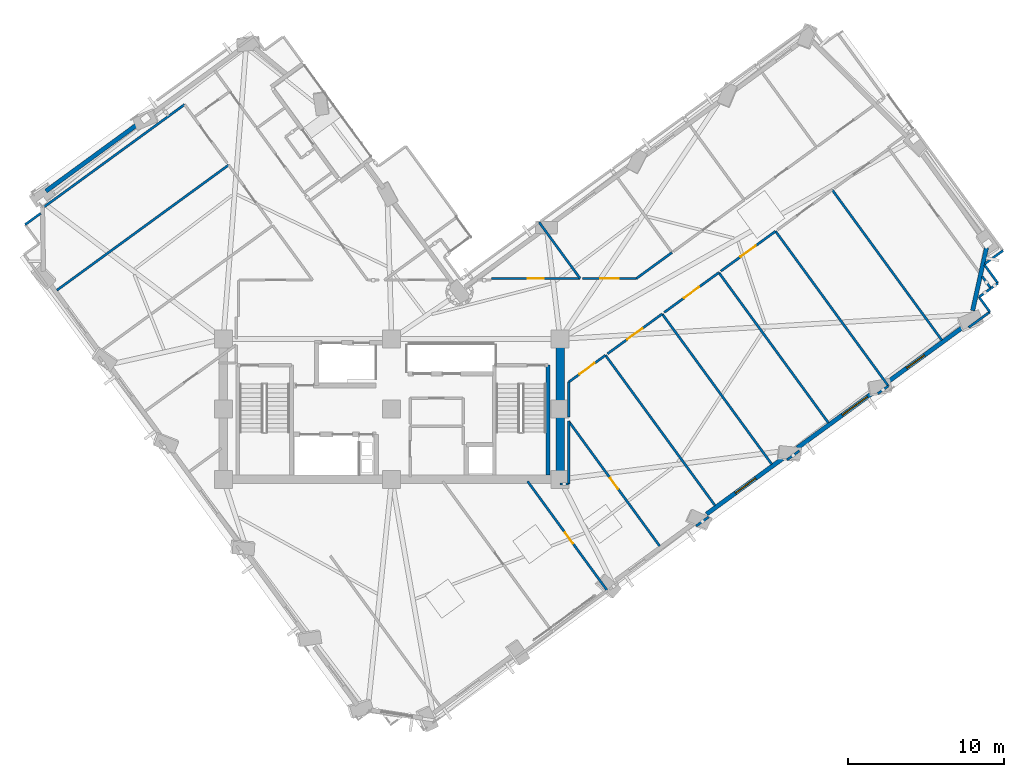
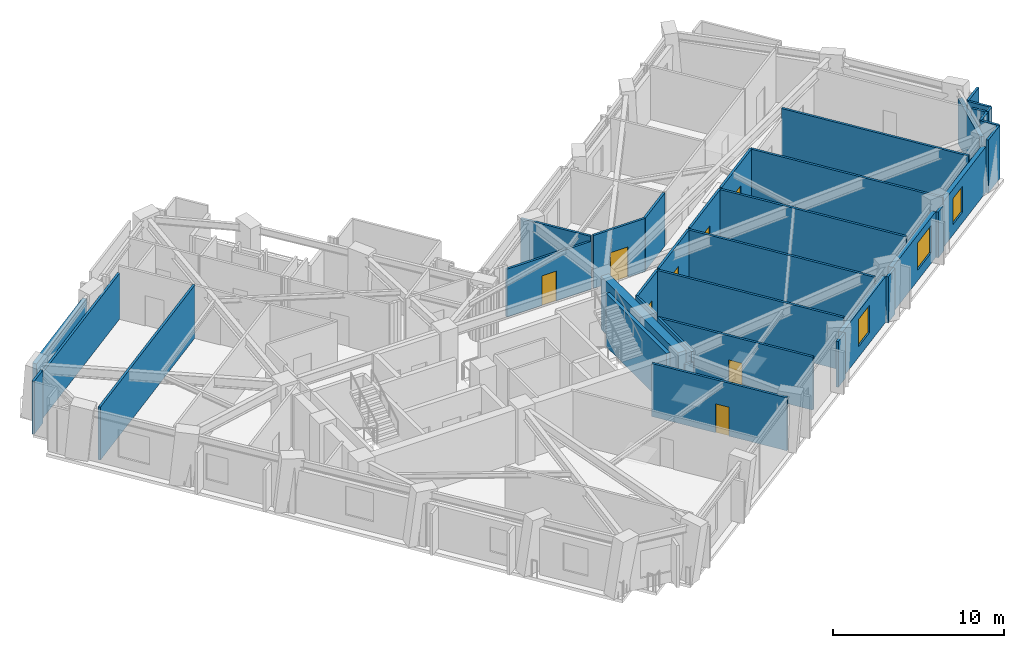
# One storey, part 7 of 14: 38 walls, 8 doors, 3 windows, 11 openings.
"""IFC4 building model written with IfcOpenShell, lengths in metres."""

from ifc_helpers import new_model, si_unit, direction, frame, frame_2d, origin, place, context, subcontext, project, spatial, rectangle, extrude, material, layer, layer_set, type_object, element, fill, save


model = new_model("IFC4")

# Units and contexts
model_context = context("Model", 3, precision=1e-05, world=origin(), true_north=direction((0.0, 1.0)))
body_context = subcontext(model_context, "Body", "Model", "MODEL_VIEW")
ifc_project = project(units=[si_unit("LENGTHUNIT", "METRE"), si_unit("AREAUNIT", "SQUARE_METRE"), si_unit("VOLUMEUNIT", "CUBIC_METRE"), si_unit("PLANEANGLEUNIT", "RADIAN"), si_unit("MASSUNIT", "GRAM", prefix="KILO")], contexts=[model_context])

# Site, building, storey
site_placement = place(None, origin())
site = spatial("IfcSite", under=ifc_project, at=site_placement, CompositionType="ELEMENT")
building_placement = place(site_placement, origin())
building = spatial("IfcBuilding", under=site, at=building_placement, Name="Gaonmaruhae Medical Tower", CompositionType="ELEMENT")
storey_placement = place(building_placement, frame((0.0, 0.0, 177.800048828125)))
storey = spatial("IfcBuildingStorey", under=building, at=storey_placement, Name="L42", CompositionType="ELEMENT", Elevation=177.800048828125)

# Wall
ifc_material_1 = material(Name="Concrete C50/60", Category="concrete")
ifc_layer_1 = layer(ifc_material_1, 0.550048828125)
ifc_layer_set_1 = layer_set([ifc_layer_1], Name="Concrete C50/60")
wall_type_1 = type_object("IfcWallType", Name="CW-550 Mid-High Core Shear Wall", PredefinedType="SHEAR", material=ifc_layer_set_1)
wall_1_placement = place(storey_placement, frame((35.60009765625, 7.800048828125, 0.0), z_axis=(0.0, 0.0, 1.0), x_axis=(0.0, 1.0, 0.0)))
element("IfcWall", 1, at=wall_1_placement, inside=storey, type_object=wall_type_1, Name="L42 Core Shear Wall CSW-E1", PredefinedType="SHEAR", context=body_context, shape_type="SweptSolid", body=[
    extrude(rectangle(XDim=9.0, YDim=0.550048828125, at=frame_2d((4.5, 0.0))), origin(), (0.0, 0.0, 1.0), 3.780029296875),
])

# Wall, opening, window
ifc_material_2 = material(Name="Precast concrete C45/55", Category="concrete")
ifc_layer_2 = layer(ifc_material_2, 0.280029296875)
ifc_layer_set_2 = layer_set([ifc_layer_2], Name="Precast concrete C45/55")
wall_type_2 = type_object("IfcWallType", Name="EW-280 Upper Precast Masonry-Frame Facade Wall", PredefinedType="SOLIDWALL", material=ifc_layer_set_2)
wall_2_placement = place(storey_placement, frame((50.013916015625, 9.231689453125, 0.0), z_axis=(0.0, 0.0, 1.0), x_axis=(-0.808000900578, -0.589181249417, 0.0)))
wall_2 = element("IfcWall", 2, at=wall_2_placement, inside=storey, type_object=wall_type_2, Name="L42 Precast Masonry-Frame Wall S04-S05", PredefinedType="SOLIDWALL", context=body_context, shape_type="SweptSolid", body=[
    extrude(rectangle(XDim=6.208984375, YDim=0.280029296875, at=frame_2d((3.1044921875, 0.0))), origin(), (0.0, 0.0, 1.0), 3.264892578125),
])
opening_1_placement = place(wall_2_placement, frame((2.3193359375, 0.0, 0.75)))
opening_1 = element("IfcOpeningElement", 3, at=opening_1_placement, cuts=wall_2, Name="Opening WN-01", PredefinedType="OPENING", context=body_context, shape_type="SweptSolid", body=[
    extrude(rectangle(XDim=1.60009765625, YDim=1.949951171875, at=frame_2d((0.800048828125, 0.97509765625))), frame((0.0, 0.14990234375, 0.0), z_axis=(0.0, -1.0, 0.0), x_axis=(1.0, 0.0, 0.0)), (0.0, 0.0, 1.0), 0.300048828125),
])
ifc_material_3 = material(Name="Anodised aluminium and Low-E double glazing", Category="aluminium")
window_type_1 = type_object("IfcWindowType", Name="WN-01 Ward Punched Acoustic Window 1600x1950", PartitioningType="SINGLE_PANEL", PredefinedType="WINDOW", material=ifc_material_3)
window_1_placement = place(opening_1_placement, origin())
window_1 = element("IfcWindow", 4, at=window_1_placement, inside=storey, type_object=window_type_1, Name="L42 Modular Facade Window S04", OverallHeight=1.949951171875, OverallWidth=1.60009765625, PartitioningType="SINGLE_PANEL", PredefinedType="WINDOW", context=body_context, shape_type="SweptSolid", body=[
    extrude(rectangle(XDim=1.60009765625, YDim=1.949951171875, at=frame_2d((0.800048828125, 0.97509765625))), frame((0.0, 0.030029296875, 0.0), z_axis=(0.0, -1.0, 0.0), x_axis=(1.0, 0.0, 0.0)), (0.0, 0.0, 1.0), 0.06005859375),
])
fill(opening_1, window_1)

wall_3_placement = place(storey_placement, frame((55.837646484375, 13.478515625, 0.0), z_axis=(0.0, 0.0, 1.0), x_axis=(-0.807993512138, -0.589191381762, 0.0)))
wall_3 = element("IfcWall", 5, at=wall_3_placement, inside=storey, type_object=wall_type_2, Name="L42 Precast Masonry-Frame Wall S05-S06", PredefinedType="SOLIDWALL", context=body_context, shape_type="SweptSolid", body=[
    extrude(rectangle(XDim=6.218505859375, YDim=0.280029296875, at=frame_2d((3.109375, 0.0))), origin(), (0.0, 0.0, 1.0), 3.264892578125),
])
opening_2_placement = place(wall_3_placement, frame((0.64599609375, 0.0, 0.75)))
opening_2 = element("IfcOpeningElement", 6, at=opening_2_placement, cuts=wall_3, Name="Opening WN-02", PredefinedType="OPENING", context=body_context, shape_type="SweptSolid", body=[
    extrude(rectangle(XDim=2.0, YDim=1.949951171875, at=frame_2d((1.0, 0.97509765625))), frame((0.0, 0.14990234375, 0.0), z_axis=(0.0, -1.0, 0.0), x_axis=(1.0, 0.0, 0.0)), (0.0, 0.0, 1.0), 0.300048828125),
])
window_type_2 = type_object("IfcWindowType", Name="WN-02 Double-Bed Ward Punched Window 2000x1950", PartitioningType="SINGLE_PANEL", PredefinedType="WINDOW", material=ifc_material_3)
window_2_placement = place(opening_2_placement, origin())
window_2 = element("IfcWindow", 7, at=window_2_placement, inside=storey, type_object=window_type_2, Name="L42 Modular Facade Window S05", OverallHeight=1.949951171875, OverallWidth=2.0, PartitioningType="SINGLE_PANEL", PredefinedType="WINDOW", context=body_context, shape_type="SweptSolid", body=[
    extrude(rectangle(XDim=2.0, YDim=1.949951171875, at=frame_2d((1.0, 0.97509765625))), frame((0.0, 0.030029296875, 0.0), z_axis=(0.0, -1.0, 0.0), x_axis=(1.0, 0.0, 0.0)), (0.0, 0.0, 1.0), 0.06005859375),
])
fill(opening_2, window_2)

wall_4_placement = place(storey_placement, frame((61.66748046875, 17.729736328125, 0.0), z_axis=(0.0, 0.0, 1.0), x_axis=(-0.807986195616, -0.589201415217, 0.0)))
wall_4 = element("IfcWall", 8, at=wall_4_placement, inside=storey, type_object=wall_type_2, Name="L42 Precast Masonry-Frame Wall S06-S07", PredefinedType="SOLIDWALL", context=body_context, shape_type="SweptSolid", body=[
    extrude(rectangle(XDim=6.242431640625, YDim=0.280029296875, at=frame_2d((3.12109375, 0.0))), origin(), (0.0, 0.0, 1.0), 3.264892578125),
])
opening_3_placement = place(wall_4_placement, frame((3.342529296875, 0.0, 0.75)))
opening_3 = element("IfcOpeningElement", 9, at=opening_3_placement, cuts=wall_4, Name="Opening WN-03", PredefinedType="OPENING", context=body_context, shape_type="SweptSolid", body=[
    extrude(rectangle(XDim=1.39990234375, YDim=1.85009765625, at=frame_2d((0.699951171875, 0.925048828125))), frame((0.0, 0.14990234375, 0.0), z_axis=(0.0, -1.0, 0.0), x_axis=(1.0, 0.0, 0.0)), (0.0, 0.0, 1.0), 0.300048828125),
])
window_type_3 = type_object("IfcWindowType", Name="WN-03 Isolation Ward Punched Window 1400x1850", PartitioningType="SINGLE_PANEL", PredefinedType="WINDOW", material=ifc_material_3)
window_3_placement = place(opening_3_placement, origin())
window_3 = element("IfcWindow", 10, at=window_3_placement, inside=storey, type_object=window_type_3, Name="L42 Modular Facade Window S06", OverallHeight=1.85009765625, OverallWidth=1.39990234375, PartitioningType="SINGLE_PANEL", PredefinedType="WINDOW", context=body_context, shape_type="SweptSolid", body=[
    extrude(rectangle(XDim=1.39990234375, YDim=1.85009765625, at=frame_2d((0.699951171875, 0.925048828125))), frame((0.0, 0.030029296875, 0.0), z_axis=(0.0, -1.0, 0.0), x_axis=(1.0, 0.0, 0.0)), (0.0, 0.0, 1.0), 0.06005859375),
])
fill(opening_3, window_3)

# Walls
wall_5_placement = place(storey_placement, frame((62.95263671875, 22.6669921875, 0.0), z_axis=(0.0, 0.0, 1.0), x_axis=(-0.215626878502, -0.976475831379, 0.0)))
element("IfcWall", 11, at=wall_5_placement, inside=storey, type_object=wall_type_2, Name="L42 Precast Masonry-Frame Wall S07-E01", PredefinedType="SOLIDWALL", context=body_context, shape_type="SweptSolid", body=[
    extrude(rectangle(XDim=4.14501953125, YDim=0.280029296875, at=frame_2d((2.072509765625, 0.0))), origin(), (0.0, 0.0, 1.0), 3.264892578125),
])
wall_6_placement = place(storey_placement, frame((2.621337890625, 26.281982421875, 0.0), z_axis=(0.0, 0.0, 1.0), x_axis=(0.807987546016, 0.589199563377, 0.0)))
element("IfcWall", 12, at=wall_6_placement, inside=storey, type_object=wall_type_2, Name="L42 Precast Masonry-Frame Wall N02-N03", PredefinedType="SOLIDWALL", context=body_context, shape_type="SweptSolid", body=[
    extrude(rectangle(XDim=7.27001953125, YDim=0.280029296875, at=frame_2d((3.635009765625, 0.0))), origin(), (0.0, 0.0, 1.0), 3.264892578125),
])

# Wall, opening, door
ifc_material_4 = material(Name="Gypsum board partition", Category="gypsum")
ifc_layer_3 = layer(ifc_material_4, 0.14990234375)
ifc_layer_set_3 = layer_set([ifc_layer_3], Name="Gypsum board partition")
wall_type_3 = type_object("IfcWallType", Name="PW-150 Rated Clinical Corridor Partition", PredefinedType="PARTITIONING", material=ifc_layer_set_3)
wall_7_placement = place(storey_placement, frame((33.51708984375, 7.6708984375, 0.0), z_axis=(0.0, 0.0, 1.0), x_axis=(0.589139101628, -0.808031632384, 0.0)))
wall_7 = element("IfcWall", 13, at=wall_7_placement, inside=storey, type_object=wall_type_3, Name="L42 Interior Partition L42-SUP04-14", PredefinedType="PARTITIONING", context=body_context, shape_type="SweptSolid", body=[
    extrude(rectangle(XDim=8.639404296875, YDim=0.14990234375, at=frame_2d((4.31982421875, 0.0))), origin(), (0.0, 0.0, 1.0), 3.780029296875),
])
opening_4_placement = place(wall_7_placement, frame((4.075439453125, 0.0, 0.0)))
opening_4 = element("IfcOpeningElement", 14, at=opening_4_placement, cuts=wall_7, Name="Opening AD-01", PredefinedType="OPENING", context=body_context, shape_type="SweptSolid", body=[
    extrude(rectangle(XDim=0.860107421875, YDim=2.06005859375, at=frame_2d((0.43017578125, 1.030029296875))), frame((0.0, 0.0849609375, 0.0), z_axis=(0.0, -1.0, 0.0), x_axis=(1.0, 0.0, 0.0)), (0.0, 0.0, 1.0), 0.169921875),
])
ifc_material_5 = material(Name="Powder-coated steel access door", Category="steel")
door_type_1 = type_object("IfcDoorType", Name="AD-01 Riser & Closet Access Fire Door 860x2060", OperationType="NOTDEFINED", PredefinedType="DOOR", material=ifc_material_5)
door_1_placement = place(opening_4_placement, origin())
door_1 = element("IfcDoor", 15, at=door_1_placement, inside=storey, type_object=door_type_1, Name="L42 Clinical Biomedical Charting Office Sliding Door", OperationType="SLIDING_TO_LEFT", OverallHeight=2.06005859375, OverallWidth=0.860107421875, PredefinedType="DOOR", context=body_context, shape_type="SweptSolid", body=[
    extrude(rectangle(XDim=0.860107421875, YDim=2.06005859375, at=frame_2d((0.43017578125, 1.030029296875))), frame((0.0, 0.02490234375, 0.0), z_axis=(0.0, -1.0, 0.0), x_axis=(1.0, 0.0, 0.0)), (0.0, 0.0, 1.0), 0.050048828125),
])
fill(opening_4, door_1)

wall_8_placement = place(storey_placement, frame((36.14990234375, 11.527099609375, 0.0), z_axis=(0.0, 0.0, 1.0), x_axis=(0.589195281256, -0.8079906686, 0.0)))
wall_8 = element("IfcWall", 16, at=wall_8_placement, inside=storey, type_object=wall_type_3, Name="L42 Interior Partition L42-SUP05-15", PredefinedType="PARTITIONING", context=body_context, shape_type="SweptSolid", body=[
    extrude(rectangle(XDim=9.90869140625, YDim=0.14990234375, at=frame_2d((4.954345703125, 0.0))), origin(), (0.0, 0.0, 1.0), 3.780029296875),
])
opening_5_placement = place(wall_8_placement, frame((4.524169921875, 0.0, 0.0)))
opening_5 = element("IfcOpeningElement", 17, at=opening_5_placement, cuts=wall_8, Name="Opening AD-01", PredefinedType="OPENING", context=body_context, shape_type="SweptSolid", body=[
    extrude(rectangle(XDim=0.860107421875, YDim=2.06005859375, at=frame_2d((0.43017578125, 1.030029296875))), frame((0.0, 0.0849609375, 0.0), z_axis=(0.0, -1.0, 0.0), x_axis=(1.0, 0.0, 0.0)), (0.0, 0.0, 1.0), 0.169921875),
])
door_2_placement = place(opening_5_placement, origin())
door_2 = element("IfcDoor", 18, at=door_2_placement, inside=storey, type_object=door_type_1, Name="L42 Clinical Biomedical Charting Office Sliding Door", OperationType="SLIDING_TO_LEFT", OverallHeight=2.06005859375, OverallWidth=0.860107421875, PredefinedType="DOOR", context=body_context, shape_type="SweptSolid", body=[
    extrude(rectangle(XDim=0.860107421875, YDim=2.06005859375, at=frame_2d((0.43017578125, 1.030029296875))), frame((0.0, 0.02490234375, 0.0), z_axis=(0.0, -1.0, 0.0), x_axis=(1.0, 0.0, 0.0)), (0.0, 0.0, 1.0), 0.050048828125),
])
fill(opening_5, door_2)

# Walls
wall_9_placement = place(storey_placement, frame((35.60009765625, 7.5, 0.0), z_axis=(0.0, 0.0, 1.0), x_axis=(1.0, 0.0, 0.0)))
element("IfcWall", 19, at=wall_9_placement, inside=storey, type_object=wall_type_3, Name="L42 Interior Partition L42-SUP05-17", PredefinedType="PARTITIONING", context=body_context, shape_type="SweptSolid", body=[
    extrude(rectangle(XDim=0.5498046875, YDim=0.14990234375, at=frame_2d((0.27490234375, 0.0))), origin(), (0.0, 0.0, 1.0), 3.06494140625),
])
wall_10_placement = place(storey_placement, frame((36.14990234375, 7.5, 0.0), z_axis=(0.0, 0.0, 1.0), x_axis=(0.0, 1.0, 0.0)))
element("IfcWall", 20, at=wall_10_placement, inside=storey, type_object=wall_type_3, Name="L42 Interior Partition L42-SUP05-18", PredefinedType="PARTITIONING", context=body_context, shape_type="SweptSolid", body=[
    extrude(rectangle(XDim=4.027099609375, YDim=0.14990234375, at=frame_2d((2.013671875, 0.0))), origin(), (0.0, 0.0, 1.0), 3.780029296875),
])
wall_11_placement = place(storey_placement, frame((38.510986328125, 15.757080078125, 0.0), z_axis=(0.0, 0.0, 1.0), x_axis=(0.589203876201, -0.807984401006, 0.0)))
element("IfcWall", 21, at=wall_11_placement, inside=storey, type_object=wall_type_3, Name="L42 Interior Partition L42-SUP06-19", PredefinedType="PARTITIONING", context=body_context, shape_type="SweptSolid", body=[
    extrude(rectangle(XDim=11.934814453125, YDim=0.14990234375, at=frame_2d((5.96728515625, 0.0))), origin(), (0.0, 0.0, 1.0), 3.780029296875),
])
wall_12_placement = place(storey_placement, frame((45.132080078125, 5.387939453125, 0.0), z_axis=(0.0, 0.0, 1.0), x_axis=(-0.808053936912, -0.589108508715, 0.0)))
element("IfcWall", 22, at=wall_12_placement, inside=storey, type_object=wall_type_3, Name="L42 Interior Partition L42-SUP06-20", PredefinedType="PARTITIONING", context=body_context, shape_type="SweptSolid", body=[
    extrude(rectangle(XDim=0.9912109375, YDim=0.14990234375, at=frame_2d((0.49560546875, 0.0))), origin(), (0.0, 0.0, 1.0), 3.264892578125),
])
wall_13_placement = place(storey_placement, frame((36.14990234375, 11.799072265625, 0.0), z_axis=(0.0, 0.0, 1.0), x_axis=(0.0, 1.0, 0.0)))
element("IfcWall", 23, at=wall_13_placement, inside=storey, type_object=wall_type_3, Name="L42 Interior Partition L42-SUP06-21", PredefinedType="PARTITIONING", context=body_context, shape_type="SweptSolid", body=[
    extrude(rectangle(XDim=2.23681640625, YDim=0.14990234375, at=frame_2d((1.118408203125, 0.0))), origin(), (0.0, 0.0, 1.0), 3.780029296875),
])

# Wall, opening, door
wall_14_placement = place(storey_placement, frame((36.14990234375, 14.035888671875, 0.0), z_axis=(0.0, 0.0, 1.0), x_axis=(0.808077964092, 0.589075550289, 0.0)))
wall_14 = element("IfcWall", 24, at=wall_14_placement, inside=storey, type_object=wall_type_3, Name="L42 Interior Partition L42-SUP06-22", PredefinedType="PARTITIONING", context=body_context, shape_type="SweptSolid", body=[
    extrude(rectangle(XDim=2.921875, YDim=0.14990234375, at=frame_2d((1.4609375, 0.0))), origin(), (0.0, 0.0, 1.0), 3.780029296875),
])
opening_6_placement = place(wall_14_placement, frame((0.86083984375, 0.0, 0.0)))
opening_6 = element("IfcOpeningElement", 25, at=opening_6_placement, cuts=wall_14, Name="Opening CD-02", PredefinedType="OPENING", context=body_context, shape_type="SweptSolid", body=[
    extrude(rectangle(XDim=1.199951171875, YDim=2.14990234375, at=frame_2d((0.60009765625, 1.074951171875))), frame((0.0, 0.0849609375, 0.0), z_axis=(0.0, -1.0, 0.0), x_axis=(1.0, 0.0, 0.0)), (0.0, 0.0, 1.0), 0.169921875),
])
ifc_material_6 = material(Name="Antimicrobial laminate timber fire door", Category="wood")
door_type_2 = type_object("IfcDoorType", Name="CD-02 Clinical Treatment & Procedure Door 1200x2150", OperationType="NOTDEFINED", PredefinedType="DOOR", material=ifc_material_6)
door_3_placement = place(opening_6_placement, origin())
door_3 = element("IfcDoor", 26, at=door_3_placement, inside=storey, type_object=door_type_2, Name="L42 Clinical Biomedical Charting Office Door", OperationType="SINGLE_SWING_RIGHT", OverallHeight=2.14990234375, OverallWidth=1.199951171875, PredefinedType="DOOR", context=body_context, shape_type="SweptSolid", body=[
    extrude(rectangle(XDim=1.199951171875, YDim=2.14990234375, at=frame_2d((0.60009765625, 1.074951171875))), frame((0.0, 0.02490234375, 0.0), z_axis=(0.0, -1.0, 0.0), x_axis=(1.0, 0.0, 0.0)), (0.0, 0.0, 1.0), 0.050048828125),
])
fill(opening_6, door_3)

wall_15_placement = place(storey_placement, frame((38.639892578125, 15.85107421875, 0.0), z_axis=(0.0, 0.0, 1.0), x_axis=(0.807940029347, 0.589264718933, 0.0)))
wall_15 = element("IfcWall", 27, at=wall_15_placement, inside=storey, type_object=wall_type_3, Name="L42 Interior Partition L42-SUP07-23", PredefinedType="PARTITIONING", context=body_context, shape_type="SweptSolid", body=[
    extrude(rectangle(XDim=4.3408203125, YDim=0.14990234375, at=frame_2d((2.17041015625, 0.0))), origin(), (0.0, 0.0, 1.0), 3.780029296875),
])
opening_7_placement = place(wall_15_placement, frame((1.5703125, 0.0, 0.0)))
opening_7 = element("IfcOpeningElement", 28, at=opening_7_placement, cuts=wall_15, Name="Opening CD-02", PredefinedType="OPENING", context=body_context, shape_type="SweptSolid", body=[
    extrude(rectangle(XDim=1.199951171875, YDim=2.14990234375, at=frame_2d((0.60009765625, 1.074951171875))), frame((0.0, 0.0849609375, 0.0), z_axis=(0.0, -1.0, 0.0), x_axis=(1.0, 0.0, 0.0)), (0.0, 0.0, 1.0), 0.169921875),
])
door_4_placement = place(opening_7_placement, origin())
door_4 = element("IfcDoor", 29, at=door_4_placement, inside=storey, type_object=door_type_2, Name="L42 Clinical Biomedical Charting Office Door", OperationType="SINGLE_SWING_LEFT", OverallHeight=2.14990234375, OverallWidth=1.199951171875, PredefinedType="DOOR", context=body_context, shape_type="SweptSolid", body=[
    extrude(rectangle(XDim=1.199951171875, YDim=2.14990234375, at=frame_2d((0.60009765625, 1.074951171875))), frame((0.0, 0.02490234375, 0.0), z_axis=(0.0, -1.0, 0.0), x_axis=(1.0, 0.0, 0.0)), (0.0, 0.0, 1.0), 0.050048828125),
])
fill(opening_7, door_4)

# Wall
wall_16_placement = place(storey_placement, frame((42.14697265625, 18.408935546875, 0.0), z_axis=(0.0, 0.0, 1.0), x_axis=(0.589164923699, -0.808012804776, 0.0)))
element("IfcWall", 30, at=wall_16_placement, inside=storey, type_object=wall_type_3, Name="L42 Interior Partition L42-SUP07-24", PredefinedType="PARTITIONING", context=body_context, shape_type="SweptSolid", body=[
    extrude(rectangle(XDim=11.935546875, YDim=0.14990234375, at=frame_2d((5.9677734375, 0.0))), origin(), (0.0, 0.0, 1.0), 3.780029296875),
])

# Wall, opening, door
wall_17_placement = place(storey_placement, frame((42.27587890625, 18.5029296875, 0.0), z_axis=(0.0, 0.0, 1.0), x_axis=(0.808020361036, 0.589154560494, 0.0)))
wall_17 = element("IfcWall", 31, at=wall_17_placement, inside=storey, type_object=wall_type_3, Name="L42 Interior Partition L42-SUP08-25", PredefinedType="PARTITIONING", context=body_context, shape_type="SweptSolid", body=[
    extrude(rectangle(XDim=4.34033203125, YDim=0.14990234375, at=frame_2d((2.170166015625, 0.0))), origin(), (0.0, 0.0, 1.0), 3.780029296875),
])
opening_8_placement = place(wall_17_placement, frame((1.570068359375, 0.0, 0.0)))
opening_8 = element("IfcOpeningElement", 32, at=opening_8_placement, cuts=wall_17, Name="Opening CD-02", PredefinedType="OPENING", context=body_context, shape_type="SweptSolid", body=[
    extrude(rectangle(XDim=1.199951171875, YDim=2.14990234375, at=frame_2d((0.60009765625, 1.074951171875))), frame((0.0, 0.0849609375, 0.0), z_axis=(0.0, -1.0, 0.0), x_axis=(1.0, 0.0, 0.0)), (0.0, 0.0, 1.0), 0.169921875),
])
door_5_placement = place(opening_8_placement, origin())
door_5 = element("IfcDoor", 33, at=door_5_placement, inside=storey, type_object=door_type_2, Name="L42 Clinical Biomedical Charting Office Door", OperationType="SINGLE_SWING_LEFT", OverallHeight=2.14990234375, OverallWidth=1.199951171875, PredefinedType="DOOR", context=body_context, shape_type="SweptSolid", body=[
    extrude(rectangle(XDim=1.199951171875, YDim=2.14990234375, at=frame_2d((0.60009765625, 1.074951171875))), frame((0.0, 0.02490234375, 0.0), z_axis=(0.0, -1.0, 0.0), x_axis=(1.0, 0.0, 0.0)), (0.0, 0.0, 1.0), 0.050048828125),
])
fill(opening_8, door_5)

# Walls
wall_18_placement = place(storey_placement, frame((45.782958984375, 21.06005859375, 0.0), z_axis=(0.0, 0.0, 1.0), x_axis=(0.589203876201, -0.807984401006, 0.0)))
element("IfcWall", 34, at=wall_18_placement, inside=storey, type_object=wall_type_3, Name="L42 Interior Partition L42-SUP08-26", PredefinedType="PARTITIONING", context=body_context, shape_type="SweptSolid", body=[
    extrude(rectangle(XDim=11.934814453125, YDim=0.14990234375, at=frame_2d((5.96728515625, 0.0))), origin(), (0.0, 0.0, 1.0), 3.780029296875),
])
wall_19_placement = place(storey_placement, frame((50.948974609375, 9.62890625, 0.0), z_axis=(0.0, 0.0, 1.0), x_axis=(-0.808181158002, -0.588933965611, 0.0)))
element("IfcWall", 35, at=wall_19_placement, inside=storey, type_object=wall_type_3, Name="L42 Interior Partition L42-SUP08-27", PredefinedType="PARTITIONING", context=body_context, shape_type="SweptSolid", body=[
    extrude(rectangle(XDim=0.989990234375, YDim=0.14990234375, at=frame_2d((0.4951171875, 0.0))), origin(), (0.0, 0.0, 1.0), 3.264892578125),
])

# Wall, opening, door
wall_20_placement = place(storey_placement, frame((45.912109375, 21.154052734375, 0.0), z_axis=(0.0, 0.0, 1.0), x_axis=(0.808027614648, 0.5891446121, 0.0)))
wall_20 = element("IfcWall", 36, at=wall_20_placement, inside=storey, type_object=wall_type_3, Name="L42 Interior Partition L42-SUP09-28", PredefinedType="PARTITIONING", context=body_context, shape_type="SweptSolid", body=[
    extrude(rectangle(XDim=4.340087890625, YDim=0.14990234375, at=frame_2d((2.169921875, 0.0))), origin(), (0.0, 0.0, 1.0), 3.780029296875),
])
opening_9_placement = place(wall_20_placement, frame((1.570068359375, 0.0, 0.0)))
opening_9 = element("IfcOpeningElement", 37, at=opening_9_placement, cuts=wall_20, Name="Opening CD-02", PredefinedType="OPENING", context=body_context, shape_type="SweptSolid", body=[
    extrude(rectangle(XDim=1.199951171875, YDim=2.14990234375, at=frame_2d((0.60009765625, 1.074951171875))), frame((0.0, 0.0849609375, 0.0), z_axis=(0.0, -1.0, 0.0), x_axis=(1.0, 0.0, 0.0)), (0.0, 0.0, 1.0), 0.169921875),
])
door_6_placement = place(opening_9_placement, origin())
door_6 = element("IfcDoor", 38, at=door_6_placement, inside=storey, type_object=door_type_2, Name="L42 Clinical Biomedical Charting Office Door", OperationType="SINGLE_SWING_LEFT", OverallHeight=2.14990234375, OverallWidth=1.199951171875, PredefinedType="DOOR", context=body_context, shape_type="SweptSolid", body=[
    extrude(rectangle(XDim=1.199951171875, YDim=2.14990234375, at=frame_2d((0.60009765625, 1.074951171875))), frame((0.0, 0.02490234375, 0.0), z_axis=(0.0, -1.0, 0.0), x_axis=(1.0, 0.0, 0.0)), (0.0, 0.0, 1.0), 0.050048828125),
])
fill(opening_9, door_6)

# Walls
wall_21_placement = place(storey_placement, frame((49.4189453125, 23.7109375, 0.0), z_axis=(0.0, 0.0, 1.0), x_axis=(0.589193791038, -0.807991755281, 0.0)))
element("IfcWall", 39, at=wall_21_placement, inside=storey, type_object=wall_type_3, Name="L42 Interior Partition L42-SUP09-29", PredefinedType="PARTITIONING", context=body_context, shape_type="SweptSolid", body=[
    extrude(rectangle(XDim=12.27978515625, YDim=0.14990234375, at=frame_2d((6.139892578125, 0.0))), origin(), (0.0, 0.0, 1.0), 3.780029296875),
])
wall_22_placement = place(storey_placement, frame((56.654052734375, 13.7890625, 0.0), z_axis=(0.0, 0.0, 1.0), x_axis=(-0.808334978562, -0.588722823096, 0.0)))
element("IfcWall", 40, at=wall_22_placement, inside=storey, type_object=wall_type_3, Name="L42 Interior Partition L42-SUP09-30", PredefinedType="PARTITIONING", context=body_context, shape_type="SweptSolid", body=[
    extrude(rectangle(XDim=0.8427734375, YDim=0.14990234375, at=frame_2d((0.42138671875, 0.0))), origin(), (0.0, 0.0, 1.0), 3.264892578125),
])
wall_23_placement = place(storey_placement, frame((53.054931640625, 26.363037109375, 0.0), z_axis=(0.0, 0.0, 1.0), x_axis=(0.589164923699, -0.808012804776, 0.0)))
element("IfcWall", 41, at=wall_23_placement, inside=storey, type_object=wall_type_3, Name="L42 Interior Partition L42-SUP10-32", PredefinedType="PARTITIONING", context=body_context, shape_type="SweptSolid", body=[
    extrude(rectangle(XDim=11.935546875, YDim=0.14990234375, at=frame_2d((5.9677734375, 0.0))), origin(), (0.0, 0.0, 1.0), 3.780029296875),
])
wall_24_placement = place(storey_placement, frame((63.1669921875, 18.5380859375, 0.0), z_axis=(0.0, 0.0, 1.0), x_axis=(-0.80813518797, -0.588997044105, 0.0)))
element("IfcWall", 42, at=wall_24_placement, inside=storey, type_object=wall_type_3, Name="L42 Interior Partition L42-SUP11-33", PredefinedType="PARTITIONING", context=body_context, shape_type="SweptSolid", body=[
    extrude(rectangle(XDim=1.687744140625, YDim=0.14990234375, at=frame_2d((0.84375, 0.0))), origin(), (0.0, 0.0, 1.0), 3.780029296875),
])
wall_25_placement = place(storey_placement, frame((62.6630859375, 20.822998046875, 0.0), z_axis=(0.0, 0.0, 1.0), x_axis=(0.589527176238, -0.80774854285, 0.0)))
element("IfcWall", 43, at=wall_25_placement, inside=storey, type_object=wall_type_3, Name="L42 Interior Partition L42-SUP11-36", PredefinedType="PARTITIONING", context=body_context, shape_type="SweptSolid", body=[
    extrude(rectangle(XDim=0.96337890625, YDim=0.14990234375, at=frame_2d((0.481689453125, 0.0))), origin(), (0.0, 0.0, 1.0), 3.780029296875),
])
wall_26_placement = place(storey_placement, frame((63.23095703125, 20.044921875, 0.0), z_axis=(0.0, 0.0, 1.0), x_axis=(-0.808612508058, -0.588341577498, 0.0)))
element("IfcWall", 44, at=wall_26_placement, inside=storey, type_object=wall_type_3, Name="L42 Interior Partition L42-SUP11-37", PredefinedType="PARTITIONING", context=body_context, shape_type="SweptSolid", body=[
    extrude(rectangle(XDim=0.93994140625, YDim=0.14990234375, at=frame_2d((0.469970703125, 0.0))), origin(), (0.0, 0.0, 1.0), 3.780029296875),
])
wall_27_placement = place(storey_placement, frame((62.470947265625, 19.491943359375, 0.0), z_axis=(0.0, 0.0, 1.0), x_axis=(0.589461777397, -0.807796269481, 0.0)))
element("IfcWall", 45, at=wall_27_placement, inside=storey, type_object=wall_type_3, Name="L42 Interior Partition L42-SUP11-38", PredefinedType="PARTITIONING", context=body_context, shape_type="SweptSolid", body=[
    extrude(rectangle(XDim=1.180908203125, YDim=0.14990234375, at=frame_2d((0.59033203125, 0.0))), origin(), (0.0, 0.0, 1.0), 3.780029296875),
])
wall_28_placement = place(storey_placement, frame((3.323974609375, 19.925048828125, 0.0), z_axis=(0.0, 0.0, 1.0), x_axis=(0.807985154612, 0.589202842769, 0.0)))
element("IfcWall", 46, at=wall_28_placement, inside=storey, type_object=wall_type_3, Name="L42 Interior Partition L42-WOF16-53", PredefinedType="PARTITIONING", context=body_context, shape_type="SweptSolid", body=[
    extrude(rectangle(XDim=13.63525390625, YDim=0.14990234375, at=frame_2d((6.817626953125, 0.0))), origin(), (0.0, 0.0, 1.0), 3.780029296875),
])
wall_29_placement = place(storey_placement, frame((2.512939453125, 25.27490234375, 0.0), z_axis=(0.0, 0.0, 1.0), x_axis=(0.808028399197, 0.589143536068, 0.0)))
element("IfcWall", 47, at=wall_29_placement, inside=storey, type_object=wall_type_3, Name="L42 Interior Partition L42-WOF17-55", PredefinedType="PARTITIONING", context=body_context, shape_type="SweptSolid", body=[
    extrude(rectangle(XDim=11.13818359375, YDim=0.14990234375, at=frame_2d((5.569091796875, 0.0))), origin(), (0.0, 0.0, 1.0), 3.264892578125),
])
wall_30_placement = place(storey_placement, frame((1.2880859375, 24.134033203125, 0.0), z_axis=(0.0, 0.0, 1.0), x_axis=(0.807968439225, 0.589225764216, 0.0)))
element("IfcWall", 48, at=wall_30_placement, inside=storey, type_object=wall_type_3, Name="L42 Interior Partition L42-WOF17-60", PredefinedType="PARTITIONING", context=body_context, shape_type="SweptSolid", body=[
    extrude(rectangle(XDim=1.23876953125, YDim=0.14990234375, at=frame_2d((0.619384765625, 0.0))), origin(), (0.0, 0.0, 1.0), 3.780029296875),
])
wall_31_placement = place(storey_placement, frame((34.2548828125, 24.2880859375, 0.0), z_axis=(0.0, 0.0, 1.0), x_axis=(0.589195209421, -0.807990720983, 0.0)))
element("IfcWall", 49, at=wall_31_placement, inside=storey, type_object=wall_type_3, Name="L42 Interior Partition L42-IE02-77", PredefinedType="PARTITIONING", context=body_context, shape_type="SweptSolid", body=[
    extrude(rectangle(XDim=4.465576171875, YDim=0.14990234375, at=frame_2d((2.23291015625, 0.0))), origin(), (0.0, 0.0, 1.0), 3.780029296875),
])

# Wall, opening, door
wall_32_placement = place(storey_placement, frame((36.885986328125, 20.679931640625, 0.0), z_axis=(0.0, 0.0, 1.0), x_axis=(-1.0, 0.0, 0.0)))
wall_32 = element("IfcWall", 50, at=wall_32_placement, inside=storey, type_object=wall_type_3, Name="L42 Interior Partition L42-IE02-78", PredefinedType="PARTITIONING", context=body_context, shape_type="SweptSolid", body=[
    extrude(rectangle(XDim=5.68896484375, YDim=0.14990234375, at=frame_2d((2.844482421875, 0.0))), origin(), (0.0, 0.0, 1.0), 3.4150390625),
])
opening_10_placement = place(wall_32_placement, frame((2.344482421875, 0.0, 0.0)))
opening_10 = element("IfcOpeningElement", 51, at=opening_10_placement, cuts=wall_32, Name="Opening CD-01", PredefinedType="OPENING", context=body_context, shape_type="SweptSolid", body=[
    extrude(rectangle(XDim=1.0, YDim=2.1201171875, at=frame_2d((0.5, 1.06005859375))), frame((0.0, 0.0849609375, 0.0), z_axis=(0.0, -1.0, 0.0), x_axis=(1.0, 0.0, 0.0)), (0.0, 0.0, 1.0), 0.169921875),
])
door_type_3 = type_object("IfcDoorType", Name="CD-01 Consultation & Physician Office Door 1000x2120", OperationType="NOTDEFINED", PredefinedType="DOOR", material=ifc_material_6)
door_7_placement = place(opening_10_placement, origin())
door_7 = element("IfcDoor", 52, at=door_7_placement, inside=storey, type_object=door_type_3, Name="L42 Acute Treatment Examination Room Door", OperationType="SINGLE_SWING_LEFT", OverallHeight=2.1201171875, OverallWidth=1.0, PredefinedType="DOOR", context=body_context, shape_type="SweptSolid", body=[
    extrude(rectangle(XDim=1.0, YDim=2.1201171875, at=frame_2d((0.5, 1.06005859375))), frame((0.0, 0.02490234375, 0.0), z_axis=(0.0, -1.0, 0.0), x_axis=(1.0, 0.0, 0.0)), (0.0, 0.0, 1.0), 0.050048828125),
])
fill(opening_10, door_7)

# Wall
wall_33_placement = place(storey_placement, frame((42.77392578125, 22.343994140625, 0.0), z_axis=(0.0, 0.0, 1.0), x_axis=(-0.807867723335, -0.589363844831, 0.0)))
element("IfcWall", 53, at=wall_33_placement, inside=storey, type_object=wall_type_3, Name="L42 Interior Partition L42-IE03-82", PredefinedType="PARTITIONING", context=body_context, shape_type="SweptSolid", body=[
    extrude(rectangle(XDim=2.823486328125, YDim=0.14990234375, at=frame_2d((1.41162109375, 0.0))), origin(), (0.0, 0.0, 1.0), 3.780029296875),
])

# Wall, opening, door
wall_34_placement = place(storey_placement, frame((40.492919921875, 20.679931640625, 0.0), z_axis=(0.0, 0.0, 1.0), x_axis=(-1.0, 0.0, 0.0)))
wall_34 = element("IfcWall", 54, at=wall_34_placement, inside=storey, type_object=wall_type_3, Name="L42 Interior Partition L42-IE03-83", PredefinedType="PARTITIONING", context=body_context, shape_type="SweptSolid", body=[
    extrude(rectangle(XDim=3.458984375, YDim=0.14990234375, at=frame_2d((1.7294921875, 0.0))), origin(), (0.0, 0.0, 1.0), 3.780029296875),
])
opening_11_placement = place(wall_34_placement, frame((1.12939453125, 0.0, 0.0)))
opening_11 = element("IfcOpeningElement", 55, at=opening_11_placement, cuts=wall_34, Name="Opening CD-02", PredefinedType="OPENING", context=body_context, shape_type="SweptSolid", body=[
    extrude(rectangle(XDim=1.199951171875, YDim=2.14990234375, at=frame_2d((0.60009765625, 1.074951171875))), frame((0.0, 0.0849609375, 0.0), z_axis=(0.0, -1.0, 0.0), x_axis=(1.0, 0.0, 0.0)), (0.0, 0.0, 1.0), 0.169921875),
])
door_8_placement = place(opening_11_placement, origin())
door_8 = element("IfcDoor", 56, at=door_8_placement, inside=storey, type_object=door_type_2, Name="L42 Clean Medication Preparation Room Door", OperationType="SINGLE_SWING_LEFT", OverallHeight=2.14990234375, OverallWidth=1.199951171875, PredefinedType="DOOR", context=body_context, shape_type="SweptSolid", body=[
    extrude(rectangle(XDim=1.199951171875, YDim=2.14990234375, at=frame_2d((0.60009765625, 1.074951171875))), frame((0.0, 0.02490234375, 0.0), z_axis=(0.0, -1.0, 0.0), x_axis=(1.0, 0.0, 0.0)), (0.0, 0.0, 1.0), 0.050048828125),
])
fill(opening_11, door_8)

# Walls
wall_35_placement = place(storey_placement, frame((62.823974609375, 21.552001953125, 0.0), z_axis=(0.0, 0.0, 1.0), x_axis=(0.589575434874, -0.807713319559, 0.0)))
element("IfcWall", 57, at=wall_35_placement, inside=storey, type_object=wall_type_3, Name="L42 Interior Partition L42-RM05-121", PredefinedType="PARTITIONING", context=body_context, shape_type="SweptSolid", body=[
    extrude(rectangle(XDim=1.457275390625, YDim=0.14990234375, at=frame_2d((0.728515625, 0.0))), origin(), (0.0, 0.0, 1.0), 3.780029296875),
])
wall_36_placement = place(storey_placement, frame((63.68310546875, 20.375, 0.0), z_axis=(0.0, 0.0, 1.0), x_axis=(-0.807854975955, -0.589381317844, 0.0)))
element("IfcWall", 58, at=wall_36_placement, inside=storey, type_object=wall_type_3, Name="L42 Interior Partition L42-RM05-122", PredefinedType="PARTITIONING", context=body_context, shape_type="SweptSolid", body=[
    extrude(rectangle(XDim=0.539794921875, YDim=0.14990234375, at=frame_2d((0.27001953125, 0.0))), origin(), (0.0, 0.0, 1.0), 3.780029296875),
])
wall_37_placement = place(storey_placement, frame((64.010986328125, 22.470947265625, 0.0), z_axis=(0.0, 0.0, 1.0), x_axis=(-0.808139286001, -0.588991421348, 0.0)))
element("IfcWall", 59, at=wall_37_placement, inside=storey, type_object=wall_type_3, Name="L42 Interior Partition L42-RM05-126", PredefinedType="PARTITIONING", context=body_context, shape_type="SweptSolid", body=[
    extrude(rectangle(XDim=1.45166015625, YDim=0.14990234375, at=frame_2d((0.725830078125, 0.0))), origin(), (0.0, 0.0, 1.0), 3.780029296875),
])
ifc_layer_4 = layer(ifc_material_1, 0.239990234375)
ifc_layer_set_4 = layer_set([ifc_layer_4], Name="Concrete C50/60")
wall_type_4 = type_object("IfcWallType", Name="SW-240 Dogleg Stair Tight Shaft Wall", PredefinedType="SOLIDWALL", material=ifc_layer_set_4)
wall_38_placement = place(storey_placement, frame((34.830078125, 15.1201171875, 0.0), z_axis=(0.0, 0.0, 1.0), x_axis=(0.0, -1.0, 0.0)))
element("IfcWall", 60, at=wall_38_placement, inside=storey, type_object=wall_type_4, Name="L42 ST-02 Stair Shaft Wall SHW-ST-02-E", PredefinedType="SOLIDWALL", context=body_context, shape_type="SweptSolid", body=[
    extrude(rectangle(XDim=7.045166015625, YDim=0.239990234375, at=frame_2d((3.5224609375, 0.0))), origin(), (0.0, 0.0, 1.0), 3.780029296875),
])

save(model, "model.ifc")
